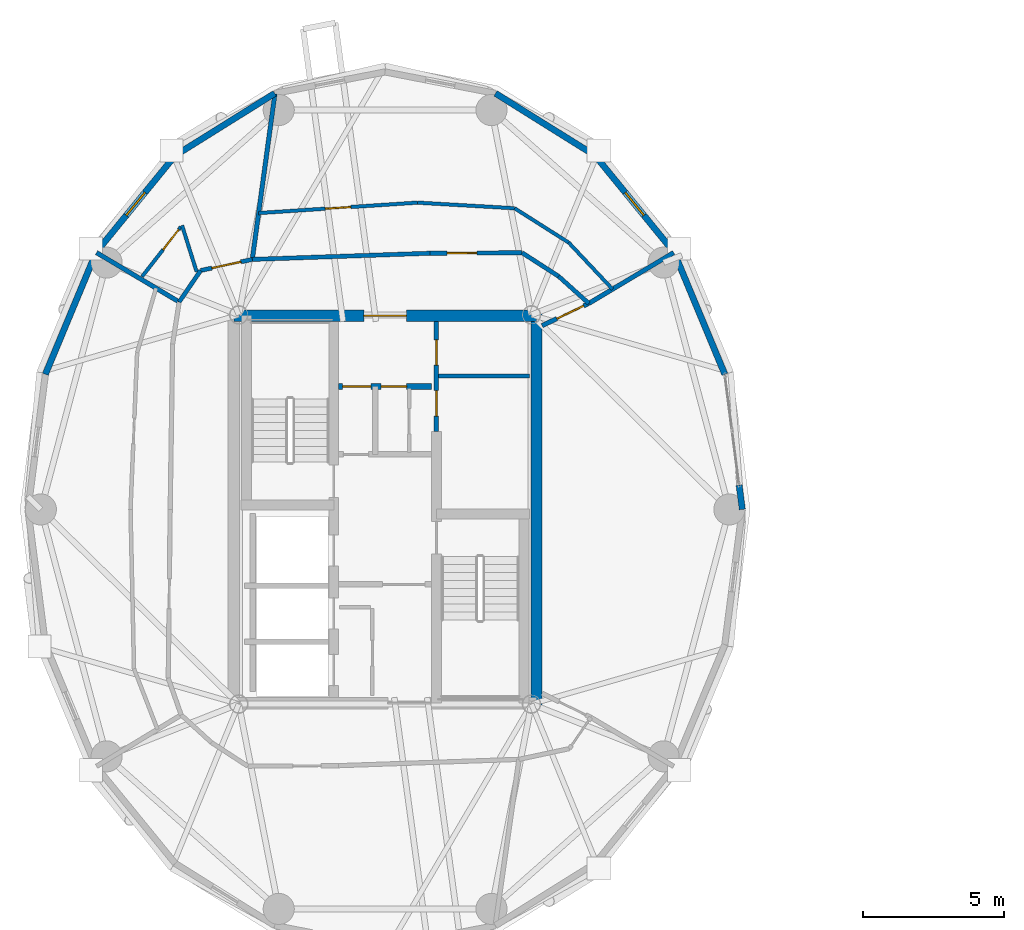
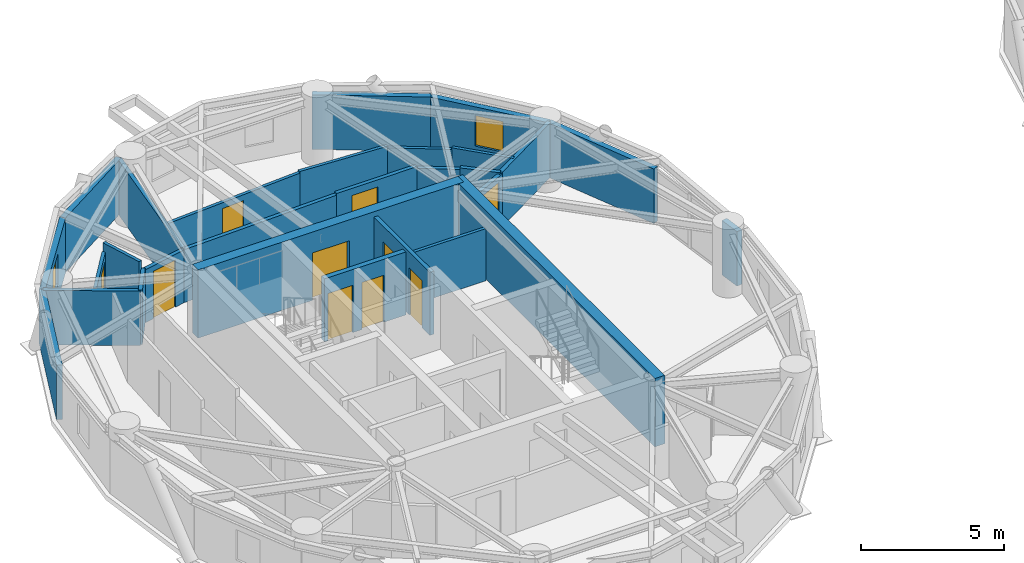
# One storey, part 10 of 16: 28 walls, 10 doors, 2 windows, 12 openings.
"""IFC4 building model written with IfcOpenShell, lengths in metres."""

from ifc_helpers import new_model, si_unit, direction, frame, frame_2d, origin, place, context, subcontext, project, spatial, rectangle, extrude, source, transform, mapped, material, layer, layer_set, type_object, element, fill, save


model = new_model("IFC4")

# Units and contexts
model_context = context("Model", 3, precision=1e-05, world=origin(), true_north=direction((0.0, 1.0)))
body_context = subcontext(model_context, "Body", "Model", "MODEL_VIEW")
ifc_project = project(units=[si_unit("LENGTHUNIT", "METRE"), si_unit("AREAUNIT", "SQUARE_METRE"), si_unit("VOLUMEUNIT", "CUBIC_METRE"), si_unit("PLANEANGLEUNIT", "RADIAN"), si_unit("MASSUNIT", "GRAM", prefix="KILO")], contexts=[model_context])

# Site, building, storey
site_placement = place(None, origin())
site = spatial("IfcSite", under=ifc_project, at=site_placement, CompositionType="ELEMENT")
building_placement = place(site_placement, origin())
building = spatial("IfcBuilding", under=site, at=building_placement, Name="Cununo Teusaquillo Station Towers", CompositionType="ELEMENT")
storey_placement = place(building_placement, frame((0.0, 0.0, 219.93994140625)))
storey = spatial("IfcBuildingStorey", under=building, at=storey_placement, Name="L70", CompositionType="ELEMENT", Elevation=219.93994140625)

# Wall
ifc_material_1 = material(Name="Concrete C50/60", Category="concrete")
ifc_layer_1 = layer(ifc_material_1, 0.39990234375)
ifc_layer_set_1 = layer_set([ifc_layer_1], Name="Concrete C50/60")
wall_type_1 = type_object("IfcWallType", Name="WL-CORE-400", PredefinedType="SHEAR", material=ifc_layer_set_1)
wall_1_placement = place(storey_placement, frame((21.85009765625, 17.449951171875, 0.0), z_axis=(0.0, 0.0, 1.0), x_axis=(0.0, 1.0, 0.0)))
element("IfcWall", 1, at=wall_1_placement, inside=storey, type_object=wall_type_1, Name="L70 Tower A Core Shear Wall E", PredefinedType="SHEAR", context=body_context, shape_type="SweptSolid", body=[
    extrude(rectangle(XDim=14.10009765625, YDim=0.39990234375, at=frame_2d((7.050048828125, 0.0))), origin(), (0.0, 0.0, 1.0), 2.91015625),
])

# Wall, opening, door
wall_2_placement = place(storey_placement, frame((11.14990234375, 31.35009765625, 0.0), z_axis=(0.0, 0.0, 1.0), x_axis=(1.0, 0.0, 0.0)))
wall_2 = element("IfcWall", 2, at=wall_2_placement, inside=storey, type_object=wall_type_1, Name="L70 Tower A Core Shear Wall N", PredefinedType="SHEAR", context=body_context, shape_type="SweptSolid", body=[
    extrude(rectangle(XDim=10.7001953125, YDim=0.39990234375, at=frame_2d((5.35009765625, 0.0))), origin(), (0.0, 0.0, 1.0), 2.91015625),
])
shared_shape_1 = source(origin(), body_context, "Body", "SweptSolid", [
    extrude(rectangle(XDim=1.5, YDim=2.02001953125, at=frame_2d((0.75, 1.010009765625))), frame((0.0, 0.2099609375, 0.0), z_axis=(0.0, -1.0, 0.0), x_axis=(1.0, 0.0, 0.0)), (0.0, 0.0, 1.0), 0.419921875),
])
opening_1_placement = place(wall_2_placement, frame((4.60009765625, 0.0, 0.0)))
opening_1 = element("IfcOpeningElement", 3, at=opening_1_placement, cuts=wall_2, Name="Opening D-LB1", PredefinedType="OPENING", context=body_context, shape_type="MappedRepresentation", body=[
    mapped(shared_shape_1, transform((0.0, 0.0, 0.0), x_axis=(1.0, 0.0, 0.0), y_axis=(0.0, 1.0, 0.0), z_axis=(0.0, 0.0, 1.0), scale=1.0)),
])
ifc_material_2 = material(Name="Galvanised fire-rated hollow steel door assembly", Category="steel")
door_type_1 = type_object("IfcDoorType", Name="DR-LOBBY-1500", OperationType="DOUBLE_DOOR_SINGLE_SWING", PredefinedType="DOOR", material=ifc_material_2)
shared_shape_2 = source(origin(), body_context, "Body", "SweptSolid", [
    extrude(rectangle(XDim=1.5, YDim=2.02001953125, at=frame_2d((0.75, 1.010009765625))), frame((0.0, 0.02490234375, 0.0), z_axis=(0.0, -1.0, 0.0), x_axis=(1.0, 0.0, 0.0)), (0.0, 0.0, 1.0), 0.050048828125),
])
door_1_placement = place(opening_1_placement, origin())
door_1 = element("IfcDoor", 4, at=door_1_placement, inside=storey, type_object=door_type_1, Name="L70 Tower A North Core Lift Lobby Door", OperationType="DOUBLE_DOOR_SINGLE_SWING", OverallHeight=2.02001953125, OverallWidth=1.5, PredefinedType="DOOR", context=body_context, shape_type="MappedRepresentation", body=[
    mapped(shared_shape_2, transform((0.0, 0.0, 0.0), x_axis=(1.0, 0.0, 0.0), y_axis=(0.0, 1.0, 0.0), z_axis=(0.0, 0.0, 1.0), scale=1.0)),
])
fill(opening_1, door_1)

# Walls
ifc_material_3 = material(Name="Precast concrete C40/50", Category="concrete")
ifc_layer_2 = layer(ifc_material_3, 0.219970703125)
ifc_layer_set_2 = layer_set([ifc_layer_2], Name="Precast concrete C40/50")
wall_type_2 = type_object("IfcWallType", Name="WL-EXT-220", PredefinedType="SOLIDWALL", material=ifc_layer_set_2)
wall_3_placement = place(storey_placement, frame((29.018310546875, 25.36279296875, 0.0), z_axis=(0.0, 0.0, 1.0), x_axis=(0.128247365719, -0.991742211054, 0.0)))
element("IfcWall", 5, at=wall_3_placement, inside=storey, type_object=wall_type_2, Name="L70 Tower A Column Pier Cladding Wall C00-PB", PredefinedType="SOLIDWALL", context=body_context, shape_type="SweptSolid", body=[
    extrude(rectangle(XDim=0.869873046875, YDim=0.219970703125, at=frame_2d((0.43505859375, 0.0))), origin(), (0.0, 0.0, 1.0), 2.322021484375),
])
wall_4_placement = place(storey_placement, frame((26.718017578125, 33.593017578125, 0.0), z_axis=(0.0, 0.0, 1.0), x_axis=(0.384036305194, -0.923317993052, 0.0)))
element("IfcWall", 6, at=wall_4_placement, inside=storey, type_object=wall_type_2, Name="L70 Tower A Exterior Facade Wall C01", PredefinedType="SOLIDWALL", context=body_context, shape_type="SweptSolid", body=[
    extrude(rectangle(XDim=4.670654296875, YDim=0.219970703125, at=frame_2d((2.33544921875, 0.0))), origin(), (0.0, 0.0, 1.0), 2.322021484375),
])

# Wall, opening, window
wall_5_placement = place(storey_placement, frame((23.923583984375, 37.015380859375, 0.0), z_axis=(0.0, 0.0, 1.0), x_axis=(0.632467166636, -0.774587169483, 0.0)))
wall_5 = element("IfcWall", 7, at=wall_5_placement, inside=storey, type_object=wall_type_2, Name="L70 Tower A Exterior Facade Wall C02", PredefinedType="SOLIDWALL", context=body_context, shape_type="SweptSolid", body=[
    extrude(rectangle(XDim=4.418212890625, YDim=0.219970703125, at=frame_2d((2.208984375, 0.0))), origin(), (0.0, 0.0, 1.0), 2.322021484375),
])
shared_shape_3 = source(origin(), body_context, "Body", "SweptSolid", [
    extrude(rectangle(XDim=1.050048828125, YDim=1.300048828125, at=frame_2d((0.52490234375, 0.64990234375))), frame((0.0, 0.119873046875, 0.0), z_axis=(0.0, -1.0, 0.0), x_axis=(1.0, 0.0, 0.0)), (0.0, 0.0, 1.0), 0.239990234375),
])
opening_2_placement = place(wall_5_placement, frame((1.68408203125, 0.0, 0.64990234375)))
opening_2 = element("IfcOpeningElement", 8, at=opening_2_placement, cuts=wall_5, Name="Opening WN-04", PredefinedType="OPENING", context=body_context, shape_type="MappedRepresentation", body=[
    mapped(shared_shape_3, transform((0.0, 0.0, 0.0), x_axis=(1.0, 0.0, 0.0), y_axis=(0.0, 1.0, 0.0), z_axis=(0.0, 0.0, 1.0), scale=1.0)),
])
ifc_material_4 = material(Name="Operable acoustic tinted low-E double glazing", Category="glass")
window_type = type_object("IfcWindowType", Name="WIN-BAL-1050", PartitioningType="SINGLE_PANEL", PredefinedType="WINDOW", material=ifc_material_4)
shared_shape_4 = source(origin(), body_context, "Body", "SweptSolid", [
    extrude(rectangle(XDim=1.050048828125, YDim=1.300048828125, at=frame_2d((0.52490234375, 0.64990234375))), frame((0.0, 0.030029296875, 0.0), z_axis=(0.0, -1.0, 0.0), x_axis=(1.0, 0.0, 0.0)), (0.0, 0.0, 1.0), 0.06005859375),
])
window_1_placement = place(opening_2_placement, origin())
window_1 = element("IfcWindow", 9, at=window_1_placement, inside=storey, type_object=window_type, Name="L70 Tower A Facade Window C02", OverallHeight=1.300048828125, OverallWidth=1.050048828125, PartitioningType="SINGLE_PANEL", PredefinedType="WINDOW", context=body_context, shape_type="MappedRepresentation", body=[
    mapped(shared_shape_4, transform((0.0, 0.0, 0.0), x_axis=(1.0, 0.0, 0.0), y_axis=(0.0, 1.0, 0.0), z_axis=(0.0, 0.0, 1.0), scale=1.0)),
])
fill(opening_2, window_1)

# Walls
for number, where, z_axis, x_axis, name in (
    (10, (20.40283203125, 39.212890625, 0.0), (0.0, 0.0, 1.0), (0.848318713376, -0.529485939886, 0.0), "L70 Tower A Exterior Facade Wall C03"),
    (11, (9.076416015625, 37.015380859375, 0.0), (0.0, 0.0, 1.0), (0.848318713376, 0.529485939886, 0.0), "L70 Tower A Exterior Facade Wall C06"),
):
    element("IfcWall", number, at=place(storey_placement, frame(where, z_axis=z_axis, x_axis=x_axis)), inside=storey, type_object=wall_type_2, Name=name, PredefinedType="SOLIDWALL", context=body_context, shape_type="SweptSolid", body=[
        extrude(rectangle(XDim=4.150390625, YDim=0.219970703125, at=frame_2d((2.0751953125, 0.0))), origin(), (0.0, 0.0, 1.0), 2.322021484375),
    ])

# Wall, opening, window
wall_6_placement = place(storey_placement, frame((6.281982421875, 33.593017578125, 0.0), z_axis=(0.0, 0.0, 1.0), x_axis=(0.632467166636, 0.774587169483, 0.0)))
wall_6 = element("IfcWall", 12, at=wall_6_placement, inside=storey, type_object=wall_type_2, Name="L70 Tower A Exterior Facade Wall C07", PredefinedType="SOLIDWALL", context=body_context, shape_type="SweptSolid", body=[
    extrude(rectangle(XDim=4.418212890625, YDim=0.219970703125, at=frame_2d((2.208984375, 0.0))), origin(), (0.0, 0.0, 1.0), 2.322021484375),
])
opening_3_placement = place(wall_6_placement, frame((1.68408203125, 0.0, 0.64990234375)))
opening_3 = element("IfcOpeningElement", 13, at=opening_3_placement, cuts=wall_6, Name="Opening WN-04", PredefinedType="OPENING", context=body_context, shape_type="MappedRepresentation", body=[
    mapped(shared_shape_3, transform((0.0, 0.0, 0.0), x_axis=(1.0, 0.0, 0.0), y_axis=(0.0, 1.0, 0.0), z_axis=(0.0, 0.0, 1.0), scale=1.0)),
])
window_2_placement = place(opening_3_placement, origin())
window_2 = element("IfcWindow", 14, at=window_2_placement, inside=storey, type_object=window_type, Name="L70 Tower A Facade Window C07", OverallHeight=1.300048828125, OverallWidth=1.050048828125, PartitioningType="SINGLE_PANEL", PredefinedType="WINDOW", context=body_context, shape_type="MappedRepresentation", body=[
    mapped(shared_shape_4, transform((0.0, 0.0, 0.0), x_axis=(1.0, 0.0, 0.0), y_axis=(0.0, 1.0, 0.0), z_axis=(0.0, 0.0, 1.0), scale=1.0)),
])
fill(opening_3, window_2)

# Walls
wall_7_placement = place(storey_placement, frame((4.48828125, 29.280517578125, 0.0), z_axis=(0.0, 0.0, 1.0), x_axis=(0.384036305194, 0.923317993052, 0.0)))
element("IfcWall", 15, at=wall_7_placement, inside=storey, type_object=wall_type_2, Name="L70 Tower A Exterior Facade Wall C08", PredefinedType="SOLIDWALL", context=body_context, shape_type="SweptSolid", body=[
    extrude(rectangle(XDim=4.670654296875, YDim=0.219970703125, at=frame_2d((2.33544921875, 0.0))), origin(), (0.0, 0.0, 1.0), 2.322021484375),
])
ifc_material_5 = material(Name="Fire-rated gypsum plasterboard partition assembly", Category="gypsum")
ifc_layer_3 = layer(ifc_material_5, 0.125)
ifc_layer_set_3 = layer_set([ifc_layer_3], Name="Fire-rated gypsum plasterboard partition assembly")
wall_type_3 = type_object("IfcWallType", Name="WL-PART-125", PredefinedType="PARTITIONING", material=ifc_layer_set_3)
wall_8_placement = place(storey_placement, frame((18.3798828125, 29.219970703125, 0.0), z_axis=(0.0, 0.0, 1.0), x_axis=(1.0, 0.0, 0.0)))
element("IfcWall", 16, at=wall_8_placement, inside=storey, type_object=wall_type_3, Name="L70 Tower A Reclaimed Bay Divider Wall", PredefinedType="PARTITIONING", context=body_context, shape_type="SweptSolid", body=[
    extrude(rectangle(XDim=3.22021484375, YDim=0.125, at=frame_2d((1.610107421875, 0.0))), origin(), (0.0, 0.0, 1.0), 2.22216796875),
])
wall_9_placement = place(storey_placement, frame((24.54150390625, 32.288330078125, 0.0), z_axis=(0.0, 0.0, 1.0), x_axis=(-0.68501091047, 0.72853280814, 0.0)))
element("IfcWall", 17, at=wall_9_placement, inside=storey, type_object=wall_type_3, Name="L70 Tower A Summit Champagne & Dining Salon Concentric Partition Wall C02", PredefinedType="PARTITIONING", context=body_context, shape_type="SweptSolid", body=[
    extrude(rectangle(XDim=2.2607421875, YDim=0.125, at=frame_2d((1.13037109375, 0.0))), origin(), (0.0, 0.0, 1.0), 2.322021484375),
])
wall_10_placement = place(storey_placement, frame((22.992919921875, 33.935302734375, 0.0), z_axis=(0.0, 0.0, 1.0), x_axis=(-0.844312558894, 0.535851008112, 0.0)))
element("IfcWall", 18, at=wall_10_placement, inside=storey, type_object=wall_type_3, Name="L70 Tower A Summit Champagne & Dining Salon Concentric Partition Wall C03", PredefinedType="PARTITIONING", context=body_context, shape_type="SweptSolid", body=[
    extrude(rectangle(XDim=2.267578125, YDim=0.125, at=frame_2d((1.1337890625, 0.0))), origin(), (0.0, 0.0, 1.0), 2.255126953125),
])
wall_11_placement = place(storey_placement, frame((21.078369140625, 35.150390625, 0.0), z_axis=(0.0, 0.0, 1.0), x_axis=(-0.99833900121, 0.057612834184, 0.0)))
element("IfcWall", 19, at=wall_11_placement, inside=storey, type_object=wall_type_3, Name="L70 Tower A Summit Champagne & Dining Salon Concentric Partition Wall C04", PredefinedType="PARTITIONING", context=body_context, shape_type="SweptSolid", body=[
    extrude(rectangle(XDim=3.445068359375, YDim=0.125, at=frame_2d((1.72265625, 0.0))), origin(), (0.0, 0.0, 1.0), 2.322021484375),
])

# Wall, opening, door
wall_12_placement = place(storey_placement, frame((17.638916015625, 35.348876953125, 0.0), z_axis=(0.0, 0.0, 1.0), x_axis=(-0.997849042159, -0.065553711275, 0.0)))
wall_12 = element("IfcWall", 20, at=wall_12_placement, inside=storey, type_object=wall_type_3, Name="L70 Tower A Summit Champagne & Dining Salon Concentric Partition Wall C05", PredefinedType="PARTITIONING", context=body_context, shape_type="SweptSolid", body=[
    extrude(rectangle(XDim=5.623779296875, YDim=0.125, at=frame_2d((2.81201171875, 0.0))), origin(), (0.0, 0.0, 1.0), 2.255126953125),
])
shared_shape_5 = source(origin(), body_context, "Body", "SweptSolid", [
    extrude(rectangle(XDim=0.89990234375, YDim=2.0048828125, at=frame_2d((0.449951171875, 1.00244140625))), frame((0.0, 0.072509765625, 0.0), z_axis=(0.0, -1.0, 0.0), x_axis=(1.0, 0.0, 0.0)), (0.0, 0.0, 1.0), 0.14501953125),
])
opening_4_placement = place(wall_12_placement, frame((2.36181640625, 0.0, 0.0)))
opening_4 = element("IfcOpeningElement", 21, at=opening_4_placement, cuts=wall_12, Name="Opening D-IN1", PredefinedType="OPENING", context=body_context, shape_type="MappedRepresentation", body=[
    mapped(shared_shape_5, transform((0.0, 0.0, 0.0), x_axis=(1.0, 0.0, 0.0), y_axis=(0.0, 1.0, 0.0), z_axis=(0.0, 0.0, 1.0), scale=1.0)),
])
ifc_material_6 = material(Name="Acoustic solid-core hardwood leaf assembly", Category="wood")
door_type_2 = type_object("IfcDoorType", Name="DR-INT-900", OperationType="NOTDEFINED", PredefinedType="DOOR", material=ifc_material_6)
shared_shape_6 = source(origin(), body_context, "Body", "SweptSolid", [
    extrude(rectangle(XDim=0.89990234375, YDim=2.0048828125, at=frame_2d((0.449951171875, 1.00244140625))), frame((0.0, 0.02490234375, 0.0), z_axis=(0.0, -1.0, 0.0), x_axis=(1.0, 0.0, 0.0)), (0.0, 0.0, 1.0), 0.050048828125),
])
door_2_placement = place(opening_4_placement, origin())
door_2 = element("IfcDoor", 22, at=door_2_placement, inside=storey, type_object=door_type_2, Name="L70 Tower A Summit Champagne & Dining Salon Connecting Door", OperationType="SINGLE_SWING_RIGHT", OverallHeight=2.0048828125, OverallWidth=0.89990234375, PredefinedType="DOOR", context=body_context, shape_type="MappedRepresentation", body=[
    mapped(shared_shape_6, transform((0.0, 0.0, 0.0), x_axis=(1.0, 0.0, 0.0), y_axis=(0.0, 1.0, 0.0), z_axis=(0.0, 0.0, 1.0), scale=1.0)),
])
fill(opening_4, door_2)

# Wall
wall_13_placement = place(storey_placement, frame((9.83544921875, 32.906005859375, 0.0), z_axis=(0.0, 0.0, 1.0), x_axis=(-0.300376803481, 0.953820620416, 0.0)))
element("IfcWall", 23, at=wall_13_placement, inside=storey, type_object=wall_type_3, Name="L70 Tower A S02 En-suite Side Wall", PredefinedType="PARTITIONING", context=body_context, shape_type="SweptSolid", body=[
    extrude(rectangle(XDim=1.718994140625, YDim=0.125, at=frame_2d((0.859375, 0.0))), origin(), (0.0, 0.0, 1.0), 2.68505859375),
])

# Wall, opening, door
wall_14_placement = place(storey_placement, frame((9.2763671875, 34.49072265625, 0.0), z_axis=(0.0, 0.0, 1.0), x_axis=(-0.615039973806, -0.788495929362, 0.0)))
wall_14 = element("IfcWall", 24, at=wall_14_placement, inside=storey, type_object=wall_type_3, Name="L70 Tower A S02 En-suite Back Wall", PredefinedType="PARTITIONING", context=body_context, shape_type="SweptSolid", body=[
    extrude(rectangle(XDim=2.22802734375, YDim=0.125, at=frame_2d((1.114013671875, 0.0))), origin(), (0.0, 0.0, 1.0), 2.322021484375),
])
opening_5_placement = place(wall_14_placement, frame((0.1201171875, 0.0, 0.0)))
opening_5 = element("IfcOpeningElement", 25, at=opening_5_placement, cuts=wall_14, Name="Opening D-IN1", PredefinedType="OPENING", context=body_context, shape_type="MappedRepresentation", body=[
    mapped(shared_shape_5, transform((0.0, 0.0, 0.0), x_axis=(1.0, 0.0, 0.0), y_axis=(0.0, 1.0, 0.0), z_axis=(0.0, 0.0, 1.0), scale=1.0)),
])
door_3_placement = place(opening_5_placement, origin())
door_3 = element("IfcDoor", 26, at=door_3_placement, inside=storey, type_object=door_type_2, Name="L70 Tower A S02 En-suite Bathroom Door", OperationType="SINGLE_SWING_RIGHT", OverallHeight=2.0048828125, OverallWidth=0.89990234375, PredefinedType="DOOR", context=body_context, shape_type="MappedRepresentation", body=[
    mapped(shared_shape_6, transform((0.0, 0.0, 0.0), x_axis=(1.0, 0.0, 0.0), y_axis=(0.0, 1.0, 0.0), z_axis=(0.0, 0.0, 1.0), scale=1.0)),
])
fill(opening_5, door_3)

# Walls
ifc_material_7 = material(Name="Fire-rated gypsum plasterboard partition assembly", Category="gypsum")
ifc_layer_4 = layer(ifc_material_7, 0.14990234375)
ifc_layer_set_4 = layer_set([ifc_layer_4], Name="Fire-rated gypsum plasterboard partition assembly")
wall_type_4 = type_object("IfcWallType", Name="WL-PART-150", PredefinedType="PARTITIONING", material=ifc_layer_set_4)
wall_15_placement = place(storey_placement, frame((23.701416015625, 31.78564453125, 0.0), z_axis=(0.0, 0.0, 1.0), x_axis=(-0.743742806382, 0.668465883913, 0.0)))
element("IfcWall", 27, at=wall_15_placement, inside=storey, type_object=wall_type_4, Name="L70 Tower A Corridor Ring Wall C02", PredefinedType="PARTITIONING", context=body_context, shape_type="SweptSolid", body=[
    extrude(rectangle(XDim=1.43359375, YDim=0.14990234375, at=frame_2d((0.716796875, 0.0))), origin(), (0.0, 0.0, 1.0), 2.322021484375),
])
wall_16_placement = place(storey_placement, frame((22.63525390625, 32.743896484375, 0.0), z_axis=(0.0, 0.0, 1.0), x_axis=(-0.840119270642, 0.542401706391, 0.0)))
element("IfcWall", 28, at=wall_16_placement, inside=storey, type_object=wall_type_4, Name="L70 Tower A Corridor Ring Wall C03", PredefinedType="PARTITIONING", context=body_context, shape_type="SweptSolid", body=[
    extrude(rectangle(XDim=1.53759765625, YDim=0.14990234375, at=frame_2d((0.768798828125, 0.0))), origin(), (0.0, 0.0, 1.0), 2.255126953125),
])

# Wall, opening, door
wall_17_placement = place(storey_placement, frame((21.343505859375, 33.577880859375, 0.0), z_axis=(0.0, 0.0, 1.0), x_axis=(-0.999984243152, -0.005613684, 0.0)))
wall_17 = element("IfcWall", 29, at=wall_17_placement, inside=storey, type_object=wall_type_4, Name="L70 Tower A Corridor Ring Wall C04", PredefinedType="PARTITIONING", context=body_context, shape_type="SweptSolid", body=[
    extrude(rectangle(XDim=3.26171875, YDim=0.14990234375, at=frame_2d((1.630859375, 0.0))), origin(), (0.0, 0.0, 1.0), 2.322021484375),
])
shared_shape_7 = source(origin(), body_context, "Body", "SweptSolid", [
    extrude(rectangle(XDim=1.050048828125, YDim=2.014892578125, at=frame_2d((0.52490234375, 1.00732421875))), frame((0.0, 0.0849609375, 0.0), z_axis=(0.0, -1.0, 0.0), x_axis=(1.0, 0.0, 0.0)), (0.0, 0.0, 1.0), 0.169921875),
])
opening_6_placement = place(wall_17_placement, frame((1.598876953125, 0.0, 0.0)))
opening_6 = element("IfcOpeningElement", 30, at=opening_6_placement, cuts=wall_17, Name="Opening D-SU1", PredefinedType="OPENING", context=body_context, shape_type="MappedRepresentation", body=[
    mapped(shared_shape_7, transform((0.0, 0.0, 0.0), x_axis=(1.0, 0.0, 0.0), y_axis=(0.0, 1.0, 0.0), z_axis=(0.0, 0.0, 1.0), scale=1.0)),
])
ifc_material_8 = material(Name="Acoustic solid-core hardwood leaf assembly", Category="wood")
door_type_3 = type_object("IfcDoorType", Name="DR-SUITE-1050", OperationType="NOTDEFINED", PredefinedType="DOOR", material=ifc_material_8)
shared_shape_8 = source(origin(), body_context, "Body", "SweptSolid", [
    extrude(rectangle(XDim=1.050048828125, YDim=2.014892578125, at=frame_2d((0.52490234375, 1.00732421875))), frame((0.0, 0.02490234375, 0.0), z_axis=(0.0, -1.0, 0.0), x_axis=(1.0, 0.0, 0.0)), (0.0, 0.0, 1.0), 0.050048828125),
])
door_4_placement = place(opening_6_placement, origin())
door_4 = element("IfcDoor", 31, at=door_4_placement, inside=storey, type_object=door_type_3, Name="L70 Tower A Summit Champagne & Dining Salon Entrance Door", OperationType="SINGLE_SWING_LEFT", OverallHeight=2.014892578125, OverallWidth=1.050048828125, PredefinedType="DOOR", context=body_context, shape_type="MappedRepresentation", body=[
    mapped(shared_shape_8, transform((0.0, 0.0, 0.0), x_axis=(1.0, 0.0, 0.0), y_axis=(0.0, 1.0, 0.0), z_axis=(0.0, 0.0, 1.0), scale=1.0)),
])
fill(opening_6, door_4)

# Wall
wall_18_placement = place(storey_placement, frame((18.081787109375, 33.5595703125, 0.0), z_axis=(0.0, 0.0, 1.0), x_axis=(-0.999399009709, -0.034664382185, 0.0)))
element("IfcWall", 32, at=wall_18_placement, inside=storey, type_object=wall_type_4, Name="L70 Tower A Corridor Ring Wall C05", PredefinedType="PARTITIONING", context=body_context, shape_type="SweptSolid", body=[
    extrude(rectangle(XDim=6.2822265625, YDim=0.14990234375, at=frame_2d((3.14111328125, 0.0))), origin(), (0.0, 0.0, 1.0), 2.255126953125),
])

# Wall, opening, door
wall_19_placement = place(storey_placement, frame((11.80322265625, 33.341796875, 0.0), z_axis=(0.0, 0.0, 1.0), x_axis=(-0.977750742783, -0.209770076483, 0.0)))
wall_19 = element("IfcWall", 33, at=wall_19_placement, inside=storey, type_object=wall_type_4, Name="L70 Tower A Corridor Ring Wall C06", PredefinedType="PARTITIONING", context=body_context, shape_type="SweptSolid", body=[
    extrude(rectangle(XDim=1.867919921875, YDim=0.14990234375, at=frame_2d((0.93408203125, 0.0))), origin(), (0.0, 0.0, 1.0), 2.255126953125),
])
opening_7_placement = place(wall_19_placement, frame((0.4091796875, 0.0, 0.0)))
opening_7 = element("IfcOpeningElement", 34, at=opening_7_placement, cuts=wall_19, Name="Opening D-SU1", PredefinedType="OPENING", context=body_context, shape_type="MappedRepresentation", body=[
    mapped(shared_shape_7, transform((0.0, 0.0, 0.0), x_axis=(1.0, 0.0, 0.0), y_axis=(0.0, 1.0, 0.0), z_axis=(0.0, 0.0, 1.0), scale=1.0)),
])
door_5_placement = place(opening_7_placement, origin())
door_5 = element("IfcDoor", 35, at=door_5_placement, inside=storey, type_object=door_type_3, Name="L70 Tower A Crown Horizon Hotel Suite Entrance Door", OperationType="SINGLE_SWING_LEFT", OverallHeight=2.014892578125, OverallWidth=1.050048828125, PredefinedType="DOOR", context=body_context, shape_type="MappedRepresentation", body=[
    mapped(shared_shape_8, transform((0.0, 0.0, 0.0), x_axis=(1.0, 0.0, 0.0), y_axis=(0.0, 1.0, 0.0), z_axis=(0.0, 0.0, 1.0), scale=1.0)),
])
fill(opening_7, door_5)

# Wall
wall_20_placement = place(storey_placement, frame((9.976806640625, 32.949951171875, 0.0), z_axis=(0.0, 0.0, 1.0), x_axis=(-0.563291804539, -0.826258036535, 0.0)))
element("IfcWall", 36, at=wall_20_placement, inside=storey, type_object=wall_type_4, Name="L70 Tower A Corridor Ring Wall C07", PredefinedType="PARTITIONING", context=body_context, shape_type="SweptSolid", body=[
    extrude(rectangle(XDim=1.34619140625, YDim=0.14990234375, at=frame_2d((0.673095703125, 0.0))), origin(), (0.0, 0.0, 1.0), 2.322021484375),
])

# Wall, openings, doors
ifc_material_9 = material(Name="Fire-rated gypsum plasterboard partition assembly", Category="gypsum")
ifc_layer_5 = layer(ifc_material_9, 0.159912109375)
ifc_layer_set_5 = layer_set([ifc_layer_5], Name="Fire-rated gypsum plasterboard partition assembly")
wall_type_5 = type_object("IfcWallType", Name="WL-PART-160", PredefinedType="PARTITIONING", material=ifc_layer_set_5)
wall_21_placement = place(storey_placement, frame((18.31494140625, 27.25, 0.0), z_axis=(0.0, 0.0, 1.0), x_axis=(0.0, 1.0, 0.0)))
wall_21 = element("IfcWall", 37, at=wall_21_placement, inside=storey, type_object=wall_type_5, Name="L70 Tower A Reclaimed Core Bay Entry Wall", PredefinedType="PARTITIONING", context=body_context, shape_type="SweptSolid", body=[
    extrude(rectangle(XDim=3.89990234375, YDim=0.159912109375, at=frame_2d((1.949951171875, 0.0))), origin(), (0.0, 0.0, 1.0), 2.68505859375),
])
shared_shape_9 = source(origin(), body_context, "Body", "SweptSolid", [
    extrude(rectangle(XDim=0.89990234375, YDim=2.0048828125, at=frame_2d((0.449951171875, 1.00244140625))), frame((0.0, 0.08984375, 0.0), z_axis=(0.0, -1.0, 0.0), x_axis=(1.0, 0.0, 0.0)), (0.0, 0.0, 1.0), 0.179931640625),
])
opening_8_placement = place(wall_21_placement, frame((0.550048828125, 0.0, 0.0)))
opening_8 = element("IfcOpeningElement", 38, at=opening_8_placement, cuts=wall_21, Name="Opening D-IN1", PredefinedType="OPENING", context=body_context, shape_type="MappedRepresentation", body=[
    mapped(shared_shape_9, transform((0.0, 0.0, 0.0), x_axis=(1.0, 0.0, 0.0), y_axis=(0.0, 1.0, 0.0), z_axis=(0.0, 0.0, 1.0), scale=1.0)),
])
opening_9_placement = place(wall_21_placement, frame((2.35009765625, 0.0, 0.0)))
opening_9 = element("IfcOpeningElement", 39, at=opening_9_placement, cuts=wall_21, Name="Opening D-IN1", PredefinedType="OPENING", context=body_context, shape_type="MappedRepresentation", body=[
    mapped(shared_shape_9, transform((0.0, 0.0, 0.0), x_axis=(1.0, 0.0, 0.0), y_axis=(0.0, 1.0, 0.0), z_axis=(0.0, 0.0, 1.0), scale=1.0)),
])
door_6_placement = place(opening_8_placement, origin())
door_6 = element("IfcDoor", 40, at=door_6_placement, inside=storey, type_object=door_type_2, Name="L70 Tower A Reclaimed Core Study Door", OperationType="SINGLE_SWING_LEFT", OverallHeight=2.0048828125, OverallWidth=0.89990234375, PredefinedType="DOOR", context=body_context, shape_type="MappedRepresentation", body=[
    mapped(shared_shape_6, transform((0.0, 0.0, 0.0), x_axis=(1.0, 0.0, 0.0), y_axis=(0.0, 1.0, 0.0), z_axis=(0.0, 0.0, 1.0), scale=1.0)),
])
fill(opening_8, door_6)
door_7_placement = place(opening_9_placement, origin())
door_7 = element("IfcDoor", 41, at=door_7_placement, inside=storey, type_object=door_type_2, Name="L70 Tower A Reclaimed Core Pantry Door", OperationType="SINGLE_SWING_RIGHT", OverallHeight=2.0048828125, OverallWidth=0.89990234375, PredefinedType="DOOR", context=body_context, shape_type="MappedRepresentation", body=[
    mapped(shared_shape_6, transform((0.0, 0.0, 0.0), x_axis=(1.0, 0.0, 0.0), y_axis=(0.0, 1.0, 0.0), z_axis=(0.0, 0.0, 1.0), scale=1.0)),
])
fill(opening_9, door_7)

# Walls
wall_22_placement = place(storey_placement, frame((23.701416015625, 31.78564453125, 0.0), z_axis=(0.0, 0.0, 1.0), x_axis=(0.858059206709, 0.513550774298, 0.0)))
element("IfcWall", 42, at=wall_22_placement, inside=storey, type_object=wall_type_5, Name="L70 Tower A Radial Suite Partition R01", PredefinedType="PARTITIONING", context=body_context, shape_type="SweptSolid", body=[
    extrude(rectangle(XDim=3.49658203125, YDim=0.159912109375, at=frame_2d((1.748291015625, 0.0))), origin(), (0.0, 0.0, 1.0), 2.322021484375),
])
wall_23_placement = place(storey_placement, frame((11.80322265625, 33.341796875, 0.0), z_axis=(0.0, 0.0, 1.0), x_axis=(0.135452591041, 0.990783828885, 0.0)))
element("IfcWall", 43, at=wall_23_placement, inside=storey, type_object=wall_type_5, Name="L70 Tower A Radial Suite Partition R02", PredefinedType="PARTITIONING", context=body_context, shape_type="SweptSolid", body=[
    extrude(rectangle(XDim=5.906494140625, YDim=0.159912109375, at=frame_2d((2.953125, 0.0))), origin(), (0.0, 0.0, 1.0), 2.322021484375),
])
wall_24_placement = place(storey_placement, frame((9.218505859375, 31.837646484375, 0.0), z_axis=(0.0, 0.0, 1.0), x_axis=(-0.858586714977, 0.512668365384, 0.0)))
element("IfcWall", 44, at=wall_24_placement, inside=storey, type_object=wall_type_5, Name="L70 Tower A Radial Suite Partition R03", PredefinedType="PARTITIONING", context=body_context, shape_type="SweptSolid", body=[
    extrude(rectangle(XDim=3.401123046875, YDim=0.159912109375, at=frame_2d((1.70068359375, 0.0))), origin(), (0.0, 0.0, 1.0), 2.322021484375),
])

# Wall, opening, door
wall_25_placement = place(storey_placement, frame((22.050048828125, 31.0, 0.0), z_axis=(0.0, 0.0, 1.0), x_axis=(0.903013459407, 0.429612257891, 0.0)))
wall_25 = element("IfcWall", 45, at=wall_25_placement, inside=storey, type_object=wall_type_5, Name="L70 Tower A East Salon Corridor Portal Wall NE", PredefinedType="PARTITIONING", context=body_context, shape_type="SweptSolid", body=[
    extrude(rectangle(XDim=1.82861328125, YDim=0.159912109375, at=frame_2d((0.914306640625, 0.0))), origin(), (0.0, 0.0, 1.0), 2.255126953125),
])
shared_shape_10 = source(origin(), body_context, "Body", "SweptSolid", [
    extrude(rectangle(XDim=1.050048828125, YDim=2.014892578125, at=frame_2d((0.52490234375, 1.00732421875))), frame((0.0, 0.08984375, 0.0), z_axis=(0.0, -1.0, 0.0), x_axis=(1.0, 0.0, 0.0)), (0.0, 0.0, 1.0), 0.179931640625),
])
opening_10_placement = place(wall_25_placement, frame((0.57861328125, 0.0, 0.0)))
opening_10 = element("IfcOpeningElement", 46, at=opening_10_placement, cuts=wall_25, Name="Opening D-SU1", PredefinedType="OPENING", context=body_context, shape_type="MappedRepresentation", body=[
    mapped(shared_shape_10, transform((0.0, 0.0, 0.0), x_axis=(1.0, 0.0, 0.0), y_axis=(0.0, 1.0, 0.0), z_axis=(0.0, 0.0, 1.0), scale=1.0)),
])
door_8_placement = place(opening_10_placement, origin())
door_8 = element("IfcDoor", 47, at=door_8_placement, inside=storey, type_object=door_type_3, Name="L70 Tower A East Panorama Sky Salon Door NE", OperationType="SINGLE_SWING_LEFT", OverallHeight=2.014892578125, OverallWidth=1.050048828125, PredefinedType="DOOR", context=body_context, shape_type="MappedRepresentation", body=[
    mapped(shared_shape_8, transform((0.0, 0.0, 0.0), x_axis=(1.0, 0.0, 0.0), y_axis=(0.0, 1.0, 0.0), z_axis=(0.0, 0.0, 1.0), scale=1.0)),
])
fill(opening_10, door_8)

# Wall, openings, doors
ifc_material_10 = material(Name="Fire-rated gypsum plasterboard partition assembly", Category="gypsum")
ifc_layer_6 = layer(ifc_material_10, 0.199951171875)
ifc_layer_set_6 = layer_set([ifc_layer_6], Name="Fire-rated gypsum plasterboard partition assembly")
wall_type_6 = type_object("IfcWallType", Name="WL-PART-200", PredefinedType="PARTITIONING", material=ifc_layer_set_6)
wall_26_placement = place(storey_placement, frame((14.860107421875, 28.85009765625, 0.0), z_axis=(0.0, 0.0, 1.0), x_axis=(1.0, 0.0, 0.0)))
wall_26 = element("IfcWall", 48, at=wall_26_placement, inside=storey, type_object=wall_type_6, Name="L70 Tower A North Lift Lobby South Fire Wall", PredefinedType="PARTITIONING", context=body_context, shape_type="SweptSolid", body=[
    extrude(rectangle(XDim=3.27978515625, YDim=0.199951171875, at=frame_2d((1.639892578125, 0.0))), origin(), (0.0, 0.0, 1.0), 2.68505859375),
])
shared_shape_11 = source(origin(), body_context, "Body", "SweptSolid", [
    extrude(rectangle(XDim=1.0, YDim=2.014892578125, at=frame_2d((0.5, 1.00732421875))), frame((0.0, 0.10986328125, 0.0), z_axis=(0.0, -1.0, 0.0), x_axis=(1.0, 0.0, 0.0)), (0.0, 0.0, 1.0), 0.219970703125),
])
opening_11_placement = place(wall_26_placement, frame((0.139892578125, 0.0, 0.0)))
opening_11 = element("IfcOpeningElement", 49, at=opening_11_placement, cuts=wall_26, Name="Opening D-AC1", PredefinedType="OPENING", context=body_context, shape_type="MappedRepresentation", body=[
    mapped(shared_shape_11, transform((0.0, 0.0, 0.0), x_axis=(1.0, 0.0, 0.0), y_axis=(0.0, 1.0, 0.0), z_axis=(0.0, 0.0, 1.0), scale=1.0)),
])
shared_shape_12 = source(origin(), body_context, "Body", "SweptSolid", [
    extrude(rectangle(XDim=0.89990234375, YDim=2.0048828125, at=frame_2d((0.449951171875, 1.00244140625))), frame((0.0, 0.10986328125, 0.0), z_axis=(0.0, -1.0, 0.0), x_axis=(1.0, 0.0, 0.0)), (0.0, 0.0, 1.0), 0.219970703125),
])
opening_12_placement = place(wall_26_placement, frame((1.5, 0.0, 0.0)))
opening_12 = element("IfcOpeningElement", 50, at=opening_12_placement, cuts=wall_26, Name="Opening D-SR1", PredefinedType="OPENING", context=body_context, shape_type="MappedRepresentation", body=[
    mapped(shared_shape_12, transform((0.0, 0.0, 0.0), x_axis=(1.0, 0.0, 0.0), y_axis=(0.0, 1.0, 0.0), z_axis=(0.0, 0.0, 1.0), scale=1.0)),
])
ifc_material_11 = material(Name="Galvanised fire-rated hollow steel door assembly", Category="steel")
door_type_4 = type_object("IfcDoorType", Name="DR-STORE-900", OperationType="NOTDEFINED", PredefinedType="DOOR", material=ifc_material_11)
door_9_placement = place(opening_12_placement, origin())
door_9 = element("IfcDoor", 51, at=door_9_placement, inside=storey, type_object=door_type_4, Name="L70 Tower A Core Housekeeping Store Door", OperationType="SINGLE_SWING_LEFT", OverallHeight=2.0048828125, OverallWidth=0.89990234375, PredefinedType="DOOR", context=body_context, shape_type="MappedRepresentation", body=[
    mapped(shared_shape_6, transform((0.0, 0.0, 0.0), x_axis=(1.0, 0.0, 0.0), y_axis=(0.0, 1.0, 0.0), z_axis=(0.0, 0.0, 1.0), scale=1.0)),
])
fill(opening_12, door_9)
ifc_material_12 = material(Name="Acoustic solid-core hardwood leaf assembly", Category="wood")
door_type_5 = type_object("IfcDoorType", Name="DR-ACC-1000", OperationType="NOTDEFINED", PredefinedType="DOOR", material=ifc_material_12)
shared_shape_13 = source(origin(), body_context, "Body", "SweptSolid", [
    extrude(rectangle(XDim=1.0, YDim=2.014892578125, at=frame_2d((0.5, 1.00732421875))), frame((0.0, 0.02490234375, 0.0), z_axis=(0.0, -1.0, 0.0), x_axis=(1.0, 0.0, 0.0)), (0.0, 0.0, 1.0), 0.050048828125),
])
door_10_placement = place(opening_11_placement, origin())
door_10 = element("IfcDoor", 52, at=door_10_placement, inside=storey, type_object=door_type_5, Name="L70 Tower A North Lift Lobby to Stair 1 Vestibule Door", OperationType="SINGLE_SWING_LEFT", OverallHeight=2.014892578125, OverallWidth=1.0, PredefinedType="DOOR", context=body_context, shape_type="MappedRepresentation", body=[
    mapped(shared_shape_13, transform((0.0, 0.0, 0.0), x_axis=(1.0, 0.0, 0.0), y_axis=(0.0, 1.0, 0.0), z_axis=(0.0, 0.0, 1.0), scale=1.0)),
])
fill(opening_11, door_10)

save(model, "model.ifc")
